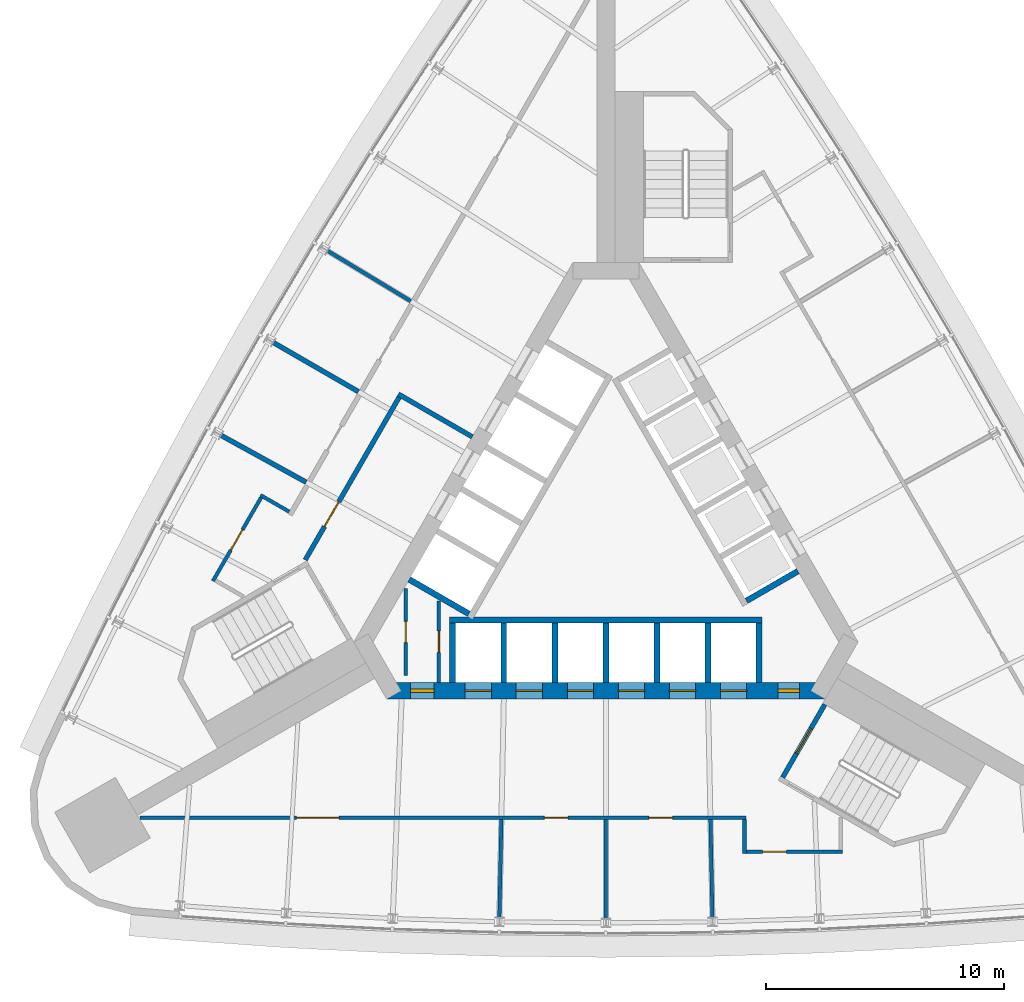
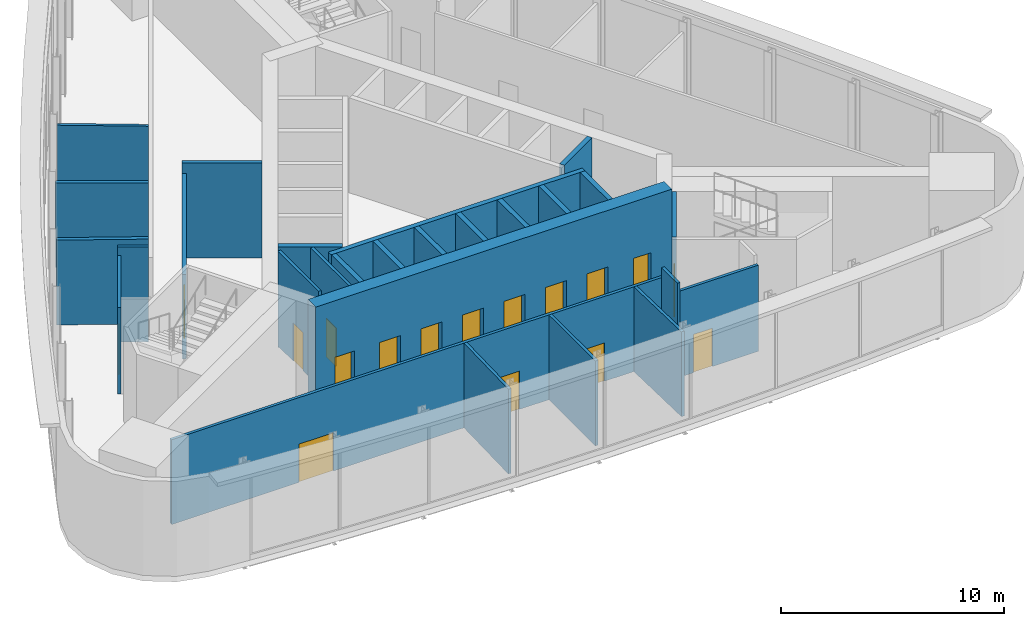
# One storey, part 6 of 11: 27 walls, 17 doors, 17 openings.
"""IFC4 building model written with IfcOpenShell, lengths in metres."""

from ifc_helpers import new_model, si_unit, direction, frame, frame_2d, origin, place, context, subcontext, project, spatial, rectangle, extrude, material, layer, layer_set, type_object, element, fill, save


model = new_model("IFC4")

# Units and contexts
model_context = context("Model", 3, precision=1e-05, world=origin(), true_north=direction((0.0, 1.0)))
body_context = subcontext(model_context, "Body", "Model", "MODEL_VIEW")
ifc_project = project(units=[si_unit("LENGTHUNIT", "METRE"), si_unit("AREAUNIT", "SQUARE_METRE"), si_unit("VOLUMEUNIT", "CUBIC_METRE"), si_unit("PLANEANGLEUNIT", "RADIAN"), si_unit("MASSUNIT", "GRAM", prefix="KILO")], contexts=[model_context])

# Site, building, storey
site_placement = place(None, origin())
site = spatial("IfcSite", under=ifc_project, at=site_placement, CompositionType="ELEMENT")
building_placement = place(site_placement, origin())
building = spatial("IfcBuilding", under=site, at=building_placement, Name="Noor Cloister Tower", CompositionType="ELEMENT")
storey_placement = place(building_placement, frame((0.0, 0.0, 134.699951171875)))
storey = spatial("IfcBuildingStorey", under=building, at=storey_placement, Name="L34", CompositionType="ELEMENT", Elevation=134.699951171875)

# Wall, opening, door
ifc_material_1 = material(Name="Concrete C30/37", Category="concrete")
ifc_layer_1 = layer(ifc_material_1, 0.14990234375)
ifc_layer_set_1 = layer_set([ifc_layer_1], Name="Core partition 150 C30/37")
wall_type_1 = type_object("IfcWallType", Name="Core partition 150 C30/37", PredefinedType="PARTITIONING", material=ifc_layer_set_1)
wall_1_placement = place(storey_placement, frame((-8.4287109375, -5.92822265625, 0.0), z_axis=(0.0, 0.0, 1.0), x_axis=(0.0, 1.0, 0.0)))
wall_1 = element("IfcWall", 1, at=wall_1_placement, inside=storey, type_object=wall_type_1, Name="Core room partition L34 1", PredefinedType="PARTITIONING", context=body_context, shape_type="SweptSolid", body=[
    extrude(rectangle(XDim=3.655517578125, YDim=0.14990234375, at=frame_2d((1.82763671875, 0.0))), origin(), (0.0, 0.0, 1.0), 5.199951171875),
])
opening_1_placement = place(wall_1_placement, frame((1.377685546875, 0.0, 0.0)))
opening_1 = element("IfcOpeningElement", 2, at=opening_1_placement, cuts=wall_1, Name="Opening L34-902", PredefinedType="OPENING", context=body_context, shape_type="SweptSolid", body=[
    extrude(rectangle(XDim=0.89990234375, YDim=2.10009765625, at=frame_2d((0.449951171875, 1.050048828125))), frame((0.0, 0.0849609375, 0.0), z_axis=(0.0, -1.0, 0.0), x_axis=(1.0, 0.0, 0.0)), (0.0, 0.0, 1.0), 0.169921875),
])
ifc_material_2 = material(Name="Steel", Category="steel")
door_type_1 = type_object("IfcDoorType", Name="Core door 900 x 2100 FD120", OperationType="SINGLE_SWING_LEFT", PredefinedType="DOOR", material=ifc_material_2)
door_1_placement = place(opening_1_placement, origin())
door_1 = element("IfcDoor", 3, at=door_1_placement, inside=storey, type_object=door_type_1, Name="Core door 2 L34", OperationType="SINGLE_SWING_RIGHT", OverallHeight=2.10009765625, OverallWidth=0.89990234375, PredefinedType="DOOR", context=body_context, shape_type="SweptSolid", body=[
    extrude(rectangle(XDim=0.89990234375, YDim=2.10009765625, at=frame_2d((0.449951171875, 1.050048828125))), frame((0.0, 0.02490234375, 0.0), z_axis=(0.0, -1.0, 0.0), x_axis=(1.0, 0.0, 0.0)), (0.0, 0.0, 1.0), 0.050048828125),
])
fill(opening_1, door_1)

wall_2_placement = place(storey_placement, frame((-7.02880859375, -2.7998046875, 0.0), z_axis=(0.0, 0.0, 1.0), x_axis=(0.0, -1.0, 0.0)))
wall_2 = element("IfcWall", 4, at=wall_2_placement, inside=storey, type_object=wall_type_1, Name="Core room partition L34 2", PredefinedType="PARTITIONING", context=body_context, shape_type="SweptSolid", body=[
    extrude(rectangle(XDim=3.428466796875, YDim=0.14990234375, at=frame_2d((1.71435546875, 0.0))), origin(), (0.0, 0.0, 1.0), 5.199951171875),
])
opening_2_placement = place(wall_2_placement, frame((1.264404296875, 0.0, 0.0)))
opening_2 = element("IfcOpeningElement", 5, at=opening_2_placement, cuts=wall_2, Name="Opening L34-904", PredefinedType="OPENING", context=body_context, shape_type="SweptSolid", body=[
    extrude(rectangle(XDim=0.89990234375, YDim=2.10009765625, at=frame_2d((0.449951171875, 1.050048828125))), frame((0.0, 0.0849609375, 0.0), z_axis=(0.0, -1.0, 0.0), x_axis=(1.0, 0.0, 0.0)), (0.0, 0.0, 1.0), 0.169921875),
])
door_2_placement = place(opening_2_placement, origin())
door_2 = element("IfcDoor", 6, at=door_2_placement, inside=storey, type_object=door_type_1, Name="Core door 4 L34", OperationType="SINGLE_SWING_RIGHT", OverallHeight=2.10009765625, OverallWidth=0.89990234375, PredefinedType="DOOR", context=body_context, shape_type="SweptSolid", body=[
    extrude(rectangle(XDim=0.89990234375, YDim=2.10009765625, at=frame_2d((0.449951171875, 1.050048828125))), frame((0.0, 0.02490234375, 0.0), z_axis=(0.0, -1.0, 0.0), x_axis=(1.0, 0.0, 0.0)), (0.0, 0.0, 1.0), 0.050048828125),
])
fill(opening_2, door_2)

# Wall, openings, doors
ifc_material_3 = material(Name="Concrete C70/85", Category="concrete")
ifc_layer_2 = layer(ifc_material_3, 0.699951171875)
ifc_layer_set_2 = layer_set([ifc_layer_2], Name="Core wall 700 C70/85")
wall_type_2 = type_object("IfcWallType", Name="Core wall 700 C70/85", PredefinedType="SHEAR", material=ifc_layer_set_2)
wall_3_placement = place(storey_placement, frame((-9.228759765625, -6.578125, -0.300048828125), z_axis=(0.0, 0.0, 1.0), x_axis=(1.0, 0.0, 0.0)))
wall_3 = element("IfcWall", 7, at=wall_3_placement, inside=storey, type_object=wall_type_2, Name="Core wall L34 1", PredefinedType="SHEAR", context=body_context, shape_type="SweptSolid", body=[
    extrude(rectangle(XDim=18.45751953125, YDim=0.699951171875, at=frame_2d((9.228759765625, 0.0))), origin(), (0.0, 0.0, 1.0), 5.5),
])
opening_3_placement = place(wall_3_placement, frame((3.3037109375, 0.0, 0.300048828125)))
opening_3 = element("IfcOpeningElement", 8, at=opening_3_placement, cuts=wall_3, Name="Opening L34-LR1", PredefinedType="OPENING", context=body_context, shape_type="SweptSolid", body=[
    extrude(rectangle(XDim=1.10009765625, YDim=2.10009765625, at=frame_2d((0.550048828125, 1.050048828125))), frame((0.0, 0.35986328125, 0.0), z_axis=(0.0, -1.0, 0.0), x_axis=(1.0, 0.0, 0.0)), (0.0, 0.0, 1.0), 0.719970703125),
])
opening_4_placement = place(wall_3_placement, frame((5.45361328125, 0.0, 0.300048828125)))
opening_4 = element("IfcOpeningElement", 9, at=opening_4_placement, cuts=wall_3, Name="Opening L34-LR2", PredefinedType="OPENING", context=body_context, shape_type="SweptSolid", body=[
    extrude(rectangle(XDim=1.10009765625, YDim=2.10009765625, at=frame_2d((0.550048828125, 1.050048828125))), frame((0.0, 0.35986328125, 0.0), z_axis=(0.0, -1.0, 0.0), x_axis=(1.0, 0.0, 0.0)), (0.0, 0.0, 1.0), 0.719970703125),
])
opening_5_placement = place(wall_3_placement, frame((7.603759765625, 0.0, 0.300048828125)))
opening_5 = element("IfcOpeningElement", 10, at=opening_5_placement, cuts=wall_3, Name="Opening L34-LR3", PredefinedType="OPENING", context=body_context, shape_type="SweptSolid", body=[
    extrude(rectangle(XDim=1.10009765625, YDim=2.10009765625, at=frame_2d((0.550048828125, 1.050048828125))), frame((0.0, 0.35986328125, 0.0), z_axis=(0.0, -1.0, 0.0), x_axis=(1.0, 0.0, 0.0)), (0.0, 0.0, 1.0), 0.719970703125),
])
opening_6_placement = place(wall_3_placement, frame((9.753662109375, 0.0, 0.300048828125)))
opening_6 = element("IfcOpeningElement", 11, at=opening_6_placement, cuts=wall_3, Name="Opening L34-LR4", PredefinedType="OPENING", context=body_context, shape_type="SweptSolid", body=[
    extrude(rectangle(XDim=1.10009765625, YDim=2.10009765625, at=frame_2d((0.550048828125, 1.050048828125))), frame((0.0, 0.35986328125, 0.0), z_axis=(0.0, -1.0, 0.0), x_axis=(1.0, 0.0, 0.0)), (0.0, 0.0, 1.0), 0.719970703125),
])
opening_7_placement = place(wall_3_placement, frame((11.90380859375, 0.0, 0.300048828125)))
opening_7 = element("IfcOpeningElement", 12, at=opening_7_placement, cuts=wall_3, Name="Opening L34-LR5", PredefinedType="OPENING", context=body_context, shape_type="SweptSolid", body=[
    extrude(rectangle(XDim=1.10009765625, YDim=2.10009765625, at=frame_2d((0.550048828125, 1.050048828125))), frame((0.0, 0.35986328125, 0.0), z_axis=(0.0, -1.0, 0.0), x_axis=(1.0, 0.0, 0.0)), (0.0, 0.0, 1.0), 0.719970703125),
])
opening_8_placement = place(wall_3_placement, frame((14.0537109375, 0.0, 0.300048828125)))
opening_8 = element("IfcOpeningElement", 13, at=opening_8_placement, cuts=wall_3, Name="Opening L34-LR6", PredefinedType="OPENING", context=body_context, shape_type="SweptSolid", body=[
    extrude(rectangle(XDim=1.10009765625, YDim=2.10009765625, at=frame_2d((0.550048828125, 1.050048828125))), frame((0.0, 0.35986328125, 0.0), z_axis=(0.0, -1.0, 0.0), x_axis=(1.0, 0.0, 0.0)), (0.0, 0.0, 1.0), 0.719970703125),
])
opening_9_placement = place(wall_3_placement, frame((1.0, 0.0, 0.300048828125)))
opening_9 = element("IfcOpeningElement", 14, at=opening_9_placement, cuts=wall_3, Name="Opening L34-901", PredefinedType="OPENING", context=body_context, shape_type="SweptSolid", body=[
    extrude(rectangle(XDim=1.0, YDim=2.10009765625, at=frame_2d((0.5, 1.050048828125))), frame((0.0, 0.35986328125, 0.0), z_axis=(0.0, -1.0, 0.0), x_axis=(1.0, 0.0, 0.0)), (0.0, 0.0, 1.0), 0.719970703125),
])
opening_10_placement = place(wall_3_placement, frame((16.478515625, 0.0, 0.300048828125)))
opening_10 = element("IfcOpeningElement", 15, at=opening_10_placement, cuts=wall_3, Name="Opening L34-903", PredefinedType="OPENING", context=body_context, shape_type="SweptSolid", body=[
    extrude(rectangle(XDim=0.89990234375, YDim=2.10009765625, at=frame_2d((0.449951171875, 1.050048828125))), frame((0.0, 0.35986328125, 0.0), z_axis=(0.0, -1.0, 0.0), x_axis=(1.0, 0.0, 0.0)), (0.0, 0.0, 1.0), 0.719970703125),
])
ifc_material_4 = material(Name="Steel", Category="steel")
door_type_2 = type_object("IfcDoorType", Name="Core door 1000 x 2100 FD120", OperationType="SINGLE_SWING_LEFT", PredefinedType="DOOR", material=ifc_material_4)
door_3_placement = place(opening_9_placement, origin())
door_3 = element("IfcDoor", 16, at=door_3_placement, inside=storey, type_object=door_type_2, Name="Core door 1 L34", OperationType="SINGLE_SWING_LEFT", OverallHeight=2.10009765625, OverallWidth=1.0, PredefinedType="DOOR", context=body_context, shape_type="SweptSolid", body=[
    extrude(rectangle(XDim=1.0, YDim=2.10009765625, at=frame_2d((0.5, 1.050048828125))), frame((0.0, 0.074951171875, 0.0), z_axis=(0.0, -1.0, 0.0), x_axis=(1.0, 0.0, 0.0)), (0.0, 0.0, 1.0), 0.14990234375),
])
fill(opening_9, door_3)
ifc_material_5 = material(Name="Steel", Category="steel")
door_type_3 = type_object("IfcDoorType", Name="Core door 900 x 2100 FD60", OperationType="SINGLE_SWING_LEFT", PredefinedType="DOOR", material=ifc_material_5)
door_4_placement = place(opening_10_placement, origin())
door_4 = element("IfcDoor", 17, at=door_4_placement, inside=storey, type_object=door_type_3, Name="Core door 3 L34", OperationType="SINGLE_SWING_LEFT", OverallHeight=2.10009765625, OverallWidth=0.89990234375, PredefinedType="DOOR", context=body_context, shape_type="SweptSolid", body=[
    extrude(rectangle(XDim=0.89990234375, YDim=2.10009765625, at=frame_2d((0.449951171875, 1.050048828125))), frame((0.0, 0.074951171875, 0.0), z_axis=(0.0, -1.0, 0.0), x_axis=(1.0, 0.0, 0.0)), (0.0, 0.0, 1.0), 0.14990234375),
])
fill(opening_10, door_4)
ifc_material_6 = material(Name="Stainless steel", Category="steel")
door_type_4 = type_object("IfcDoorType", Name="Lift landing door 1100 x 2100", OperationType="DOUBLE_DOOR_SLIDING", PredefinedType="DOOR", material=ifc_material_6)
door_5_placement = place(opening_3_placement, origin())
door_5 = element("IfcDoor", 18, at=door_5_placement, inside=storey, type_object=door_type_4, Name="Landing door LR1 L34", OperationType="DOUBLE_DOOR_SLIDING", OverallHeight=2.10009765625, OverallWidth=1.10009765625, PredefinedType="DOOR", context=body_context, shape_type="SweptSolid", body=[
    extrude(rectangle(XDim=1.10009765625, YDim=2.10009765625, at=frame_2d((0.550048828125, 1.050048828125))), frame((0.0, 0.02490234375, 0.0), z_axis=(0.0, -1.0, 0.0), x_axis=(1.0, 0.0, 0.0)), (0.0, 0.0, 1.0), 0.050048828125),
])
fill(opening_3, door_5)
door_6_placement = place(opening_4_placement, origin())
door_6 = element("IfcDoor", 19, at=door_6_placement, inside=storey, type_object=door_type_4, Name="Landing door LR2 L34", OperationType="DOUBLE_DOOR_SLIDING", OverallHeight=2.10009765625, OverallWidth=1.10009765625, PredefinedType="DOOR", context=body_context, shape_type="SweptSolid", body=[
    extrude(rectangle(XDim=1.10009765625, YDim=2.10009765625, at=frame_2d((0.550048828125, 1.050048828125))), frame((0.0, 0.02490234375, 0.0), z_axis=(0.0, -1.0, 0.0), x_axis=(1.0, 0.0, 0.0)), (0.0, 0.0, 1.0), 0.050048828125),
])
fill(opening_4, door_6)
door_7_placement = place(opening_5_placement, origin())
door_7 = element("IfcDoor", 20, at=door_7_placement, inside=storey, type_object=door_type_4, Name="Landing door LR3 L34", OperationType="DOUBLE_DOOR_SLIDING", OverallHeight=2.10009765625, OverallWidth=1.10009765625, PredefinedType="DOOR", context=body_context, shape_type="SweptSolid", body=[
    extrude(rectangle(XDim=1.10009765625, YDim=2.10009765625, at=frame_2d((0.550048828125, 1.050048828125))), frame((0.0, 0.02490234375, 0.0), z_axis=(0.0, -1.0, 0.0), x_axis=(1.0, 0.0, 0.0)), (0.0, 0.0, 1.0), 0.050048828125),
])
fill(opening_5, door_7)
door_8_placement = place(opening_6_placement, origin())
door_8 = element("IfcDoor", 21, at=door_8_placement, inside=storey, type_object=door_type_4, Name="Landing door LR4 L34", OperationType="DOUBLE_DOOR_SLIDING", OverallHeight=2.10009765625, OverallWidth=1.10009765625, PredefinedType="DOOR", context=body_context, shape_type="SweptSolid", body=[
    extrude(rectangle(XDim=1.10009765625, YDim=2.10009765625, at=frame_2d((0.550048828125, 1.050048828125))), frame((0.0, 0.02490234375, 0.0), z_axis=(0.0, -1.0, 0.0), x_axis=(1.0, 0.0, 0.0)), (0.0, 0.0, 1.0), 0.050048828125),
])
fill(opening_6, door_8)
door_9_placement = place(opening_7_placement, origin())
door_9 = element("IfcDoor", 22, at=door_9_placement, inside=storey, type_object=door_type_4, Name="Landing door LR5 L34", OperationType="DOUBLE_DOOR_SLIDING", OverallHeight=2.10009765625, OverallWidth=1.10009765625, PredefinedType="DOOR", context=body_context, shape_type="SweptSolid", body=[
    extrude(rectangle(XDim=1.10009765625, YDim=2.10009765625, at=frame_2d((0.550048828125, 1.050048828125))), frame((0.0, 0.02490234375, 0.0), z_axis=(0.0, -1.0, 0.0), x_axis=(1.0, 0.0, 0.0)), (0.0, 0.0, 1.0), 0.050048828125),
])
fill(opening_7, door_9)
door_10_placement = place(opening_8_placement, origin())
door_10 = element("IfcDoor", 23, at=door_10_placement, inside=storey, type_object=door_type_4, Name="Landing door LR6 L34", OperationType="DOUBLE_DOOR_SLIDING", OverallHeight=2.10009765625, OverallWidth=1.10009765625, PredefinedType="DOOR", context=body_context, shape_type="SweptSolid", body=[
    extrude(rectangle(XDim=1.10009765625, YDim=2.10009765625, at=frame_2d((0.550048828125, 1.050048828125))), frame((0.0, 0.02490234375, 0.0), z_axis=(0.0, -1.0, 0.0), x_axis=(1.0, 0.0, 0.0)), (0.0, 0.0, 1.0), 0.050048828125),
])
fill(opening_8, door_10)

# Walls
ifc_material_7 = material(Name="Concrete C70/85", Category="concrete")
ifc_layer_3 = layer(ifc_material_7, 0.25)
ifc_layer_set_3 = layer_set([ifc_layer_3], Name="Shaft wall 250 C70/85")
wall_type_3 = type_object("IfcWallType", Name="Shaft wall 250 C70/85", PredefinedType="PARTITIONING", material=ifc_layer_set_3)
for number, where, z_axis, x_axis, name in (
    (24, (-6.449951171875, -6.228271484375, -0.300048828125), (0.0, 0.0, 1.0), (0.0, 1.0, 0.0), "Lift shaft wall L34 S 1"),
    (25, (-4.300048828125, -6.228271484375, -0.300048828125), (0.0, 0.0, 1.0), (0.0, 1.0, 0.0), "Lift shaft wall L34 S 2"),
    (26, (-2.14990234375, -6.228271484375, -0.300048828125), (0.0, 0.0, 1.0), (0.0, 1.0, 0.0), "Lift shaft wall L34 S 3"),
    (27, (0.0, -6.228271484375, -0.300048828125), (0.0, 0.0, 1.0), (0.0, 1.0, 0.0), "Lift shaft wall L34 S 4"),
    (28, (2.14990234375, -6.228271484375, -0.300048828125), (0.0, 0.0, 1.0), (0.0, 1.0, 0.0), "Lift shaft wall L34 S 5"),
    (29, (4.300048828125, -6.228271484375, -0.300048828125), (0.0, 0.0, 1.0), (0.0, 1.0, 0.0), "Lift shaft wall L34 S 6"),
    (30, (6.449951171875, -6.228271484375, -0.300048828125), (0.0, 0.0, 1.0), (0.0, 1.0, 0.0), "Lift shaft wall L34 S 7"),
):
    element("IfcWall", number, at=place(storey_placement, frame(where, z_axis=z_axis, x_axis=x_axis)), inside=storey, type_object=wall_type_3, Name=name, PredefinedType="PARTITIONING", context=body_context, shape_type="SweptSolid", body=[
        extrude(rectangle(XDim=2.5, YDim=0.25, at=frame_2d((1.25, 0.0))), origin(), (0.0, 0.0, 1.0), 5.5),
    ])
wall_4_placement = place(storey_placement, frame((-6.574951171875, -3.603271484375, 0.0), z_axis=(0.0, 0.0, 1.0), x_axis=(1.0, 0.0, 0.0)))
element("IfcWall", 31, at=wall_4_placement, inside=storey, type_object=wall_type_3, Name="Lift shaft back wall L34 S", PredefinedType="PARTITIONING", context=body_context, shape_type="SweptSolid", body=[
    extrude(rectangle(XDim=13.14990234375, YDim=0.25, at=frame_2d((6.574951171875, 0.0))), origin(), (0.0, 0.0, 1.0), 5.199951171875),
])
wall_5_placement = place(storey_placement, frame((8.081298828125, -1.540771484375, -0.300048828125), z_axis=(0.0, 0.0, 1.0), x_axis=(-0.866022959057, -0.500004234368, 0.0)))
element("IfcWall", 32, at=wall_5_placement, inside=storey, type_object=wall_type_3, Name="Lift shaft wall L34 NE 1", PredefinedType="PARTITIONING", context=body_context, shape_type="SweptSolid", body=[
    extrude(rectangle(XDim=2.5, YDim=0.25, at=frame_2d((1.25, 0.0))), origin(), (0.0, 0.0, 1.0), 5.5),
])
wall_6_placement = place(storey_placement, frame((-8.28125, -1.88720703125, -0.300048828125), z_axis=(0.0, 0.0, 1.0), x_axis=(0.866032775405, -0.499987231761, 0.0)))
element("IfcWall", 33, at=wall_6_placement, inside=storey, type_object=wall_type_3, Name="Lift shaft wall L34 NW 6", PredefinedType="PARTITIONING", context=body_context, shape_type="SweptSolid", body=[
    extrude(rectangle(XDim=2.89990234375, YDim=0.25, at=frame_2d((1.449951171875, 0.0))), origin(), (0.0, 0.0, 1.0), 5.5),
])

# Wall, opening, door
ifc_material_8 = material(Name="Concrete C70/85", Category="concrete")
ifc_layer_4 = layer(ifc_material_8, 0.199951171875)
ifc_layer_set_4 = layer_set([ifc_layer_4], Name="Stair enclosure wall 200 C70/85")
wall_type_4 = type_object("IfcWallType", Name="Stair enclosure wall 200 C70/85", PredefinedType="SHEAR", material=ifc_layer_set_4)
wall_7_placement = place(storey_placement, frame((7.440185546875, -10.225830078125, -0.300048828125), z_axis=(0.0, 0.0, 1.0), x_axis=(0.500022077904, 0.866012656725, 0.0)))
wall_7 = element("IfcWall", 34, at=wall_7_placement, inside=storey, type_object=wall_type_4, Name="Stair enclosure wall ST3 L34 near end", PredefinedType="SHEAR", context=body_context, shape_type="SweptSolid", body=[
    extrude(rectangle(XDim=3.550048828125, YDim=0.199951171875, at=frame_2d((1.77490234375, 0.0))), origin(), (0.0, 0.0, 1.0), 5.5),
])
opening_11_placement = place(wall_7_placement, frame((1.175048828125, 0.0, 0.300048828125)))
opening_11 = element("IfcOpeningElement", 35, at=opening_11_placement, cuts=wall_7, Name="Opening L34-ST3L", PredefinedType="OPENING", context=body_context, shape_type="SweptSolid", body=[
    extrude(rectangle(XDim=1.199951171875, YDim=2.10009765625, at=frame_2d((0.60009765625, 1.050048828125))), frame((0.0, 0.10986328125, 0.0), z_axis=(0.0, -1.0, 0.0), x_axis=(1.0, 0.0, 0.0)), (0.0, 0.0, 1.0), 0.219970703125),
])
ifc_material_9 = material(Name="Steel", Category="steel")
door_type_5 = type_object("IfcDoorType", Name="Stair door 1200 x 2100 FD120", OperationType="SINGLE_SWING_LEFT", PredefinedType="DOOR", material=ifc_material_9)
door_11_placement = place(opening_11_placement, origin())
door_11 = element("IfcDoor", 36, at=door_11_placement, inside=storey, type_object=door_type_5, Name="Stair door ST3 L34", OperationType="SINGLE_SWING_RIGHT", OverallHeight=2.10009765625, OverallWidth=1.199951171875, PredefinedType="DOOR", context=body_context, shape_type="SweptSolid", body=[
    extrude(rectangle(XDim=1.199951171875, YDim=2.10009765625, at=frame_2d((0.60009765625, 1.050048828125))), frame((0.0, 0.02490234375, 0.0), z_axis=(0.0, -1.0, 0.0), x_axis=(1.0, 0.0, 0.0)), (0.0, 0.0, 1.0), 0.050048828125),
])
fill(opening_11, door_11)

# Walls
ifc_material_10 = material(Name="Fire-rated gypsum board partition on steel studs, 150 mm", Category="steel")
ifc_layer_5 = layer(ifc_material_10, 0.14990234375)
ifc_layer_set_5 = layer_set([ifc_layer_5], Name="Upper floor corridor wall 150")
wall_type_5 = type_object("IfcWallType", Name="Upper floor corridor wall 150", PredefinedType="PARTITIONING", material=ifc_layer_set_5)
wall_8_placement = place(storey_placement, frame((-11.725341796875, 11.948486328125, 0.0), z_axis=(0.0, 0.0, 1.0), x_axis=(0.85568537719, -0.517496410869, 0.0)))
element("IfcWall", 37, at=wall_8_placement, inside=storey, type_object=wall_type_5, Name="Upper floor corridor wall 150 L34 006", PredefinedType="PARTITIONING", context=body_context, shape_type="SweptSolid", body=[
    extrude(rectangle(XDim=4.099609375, YDim=0.14990234375, at=frame_2d((2.0498046875, 0.0))), origin(), (0.0, 0.0, 1.0), 4.64697265625),
])
wall_9_placement = place(storey_placement, frame((-13.33349609375, 0.9619140625, 0.0), z_axis=(0.0, 0.0, 1.0), x_axis=(-0.865961103467, 0.500111354883, 0.0)))
element("IfcWall", 38, at=wall_9_placement, inside=storey, type_object=wall_type_5, Name="Upper floor corridor wall 150 L34 007", PredefinedType="PARTITIONING", context=body_context, shape_type="SweptSolid", body=[
    extrude(rectangle(XDim=1.394775390625, YDim=0.14990234375, at=frame_2d((0.697265625, 0.0))), origin(), (0.0, 0.0, 1.0), 5.199951171875),
])

# Wall, opening, door
wall_10_placement = place(storey_placement, frame((-16.5439453125, -1.955322265625, 0.0), z_axis=(0.0, 0.0, 1.0), x_axis=(0.499996823547, 0.866027237703, 0.0)))
wall_10 = element("IfcWall", 39, at=wall_10_placement, inside=storey, type_object=wall_type_5, Name="Upper floor corridor wall 150 L34 008", PredefinedType="PARTITIONING", context=body_context, shape_type="SweptSolid", body=[
    extrude(rectangle(XDim=4.056640625, YDim=0.14990234375, at=frame_2d((2.0283203125, 0.0))), origin(), (0.0, 0.0, 1.0), 4.72314453125),
])
opening_12_placement = place(wall_10_placement, frame((1.495361328125, 0.0, 0.0)))
opening_12 = element("IfcOpeningElement", 40, at=opening_12_placement, cuts=wall_10, Name="Opening L34-004", PredefinedType="OPENING", context=body_context, shape_type="SweptSolid", body=[
    extrude(rectangle(XDim=1.0, YDim=2.10009765625, at=frame_2d((0.5, 1.050048828125))), frame((0.0, 0.0849609375, 0.0), z_axis=(0.0, -1.0, 0.0), x_axis=(1.0, 0.0, 0.0)), (0.0, 0.0, 1.0), 0.169921875),
])
ifc_material_11 = material(Name="Timber door leaf with steel frame", Category="steel")
door_type_6 = type_object("IfcDoorType", Name="Public room door 1000", OperationType="NOTDEFINED", PredefinedType="DOOR", material=ifc_material_11)
door_12_placement = place(opening_12_placement, origin())
door_12 = element("IfcDoor", 41, at=door_12_placement, inside=storey, type_object=door_type_6, Name="Public room door 1000 L34-004", OperationType="SINGLE_SWING_LEFT", OverallHeight=2.10009765625, OverallWidth=1.0, PredefinedType="DOOR", context=body_context, shape_type="SweptSolid", body=[
    extrude(rectangle(XDim=1.0, YDim=2.10009765625, at=frame_2d((0.5, 1.050048828125))), frame((0.0, 0.02490234375, 0.0), z_axis=(0.0, -1.0, 0.0), x_axis=(1.0, 0.0, 0.0)), (0.0, 0.0, 1.0), 0.050048828125),
])
fill(opening_12, door_12)

# Wall, openings, doors
wall_11_placement = place(storey_placement, frame((-19.622314453125, -11.92822265625, 0.0), z_axis=(0.0, 0.0, 1.0), x_axis=(1.0, 0.0, 0.0)))
wall_11 = element("IfcWall", 42, at=wall_11_placement, inside=storey, type_object=wall_type_5, Name="Upper floor corridor wall 150 L34 010", PredefinedType="PARTITIONING", context=body_context, shape_type="SweptSolid", body=[
    extrude(rectangle(XDim=25.52880859375, YDim=0.14990234375, at=frame_2d((12.764404296875, 0.0))), origin(), (0.0, 0.0, 1.0), 4.64697265625),
])
opening_13_placement = place(wall_11_placement, frame((6.588134765625, 0.0, 0.0)))
opening_13 = element("IfcOpeningElement", 43, at=opening_13_placement, cuts=wall_11, Name="Opening L34-006", PredefinedType="OPENING", context=body_context, shape_type="SweptSolid", body=[
    extrude(rectangle(XDim=1.800048828125, YDim=2.10009765625, at=frame_2d((0.89990234375, 1.050048828125))), frame((0.0, 0.0849609375, 0.0), z_axis=(0.0, -1.0, 0.0), x_axis=(1.0, 0.0, 0.0)), (0.0, 0.0, 1.0), 0.169921875),
])
opening_14_placement = place(wall_11_placement, frame((17.0263671875, 0.0, 0.0)))
opening_14 = element("IfcOpeningElement", 44, at=opening_14_placement, cuts=wall_11, Name="Opening L34-007", PredefinedType="OPENING", context=body_context, shape_type="SweptSolid", body=[
    extrude(rectangle(XDim=1.0, YDim=2.10009765625, at=frame_2d((0.5, 1.050048828125))), frame((0.0, 0.0849609375, 0.0), z_axis=(0.0, -1.0, 0.0), x_axis=(1.0, 0.0, 0.0)), (0.0, 0.0, 1.0), 0.169921875),
])
opening_15_placement = place(wall_11_placement, frame((21.426025390625, 0.0, 0.0)))
opening_15 = element("IfcOpeningElement", 45, at=opening_15_placement, cuts=wall_11, Name="Opening L34-008", PredefinedType="OPENING", context=body_context, shape_type="SweptSolid", body=[
    extrude(rectangle(XDim=1.0, YDim=2.10009765625, at=frame_2d((0.5, 1.050048828125))), frame((0.0, 0.0849609375, 0.0), z_axis=(0.0, -1.0, 0.0), x_axis=(1.0, 0.0, 0.0)), (0.0, 0.0, 1.0), 0.169921875),
])
ifc_material_12 = material(Name="Timber door leaf with steel frame", Category="steel")
door_type_7 = type_object("IfcDoorType", Name="Gallery double door 1800", OperationType="NOTDEFINED", PredefinedType="DOOR", material=ifc_material_12)
door_13_placement = place(opening_13_placement, origin())
door_13 = element("IfcDoor", 46, at=door_13_placement, inside=storey, type_object=door_type_7, Name="Gallery double door 1800 L34-006", OperationType="DOUBLE_DOOR_SINGLE_SWING", OverallHeight=2.10009765625, OverallWidth=1.800048828125, PredefinedType="DOOR", context=body_context, shape_type="SweptSolid", body=[
    extrude(rectangle(XDim=1.800048828125, YDim=2.10009765625, at=frame_2d((0.89990234375, 1.050048828125))), frame((0.0, 0.02490234375, 0.0), z_axis=(0.0, -1.0, 0.0), x_axis=(1.0, 0.0, 0.0)), (0.0, 0.0, 1.0), 0.050048828125),
])
fill(opening_13, door_13)
ifc_material_13 = material(Name="Timber door leaf with steel frame", Category="steel")
door_type_8 = type_object("IfcDoorType", Name="Staff room door 1000", OperationType="NOTDEFINED", PredefinedType="DOOR", material=ifc_material_13)
door_14_placement = place(opening_14_placement, origin())
door_14 = element("IfcDoor", 47, at=door_14_placement, inside=storey, type_object=door_type_8, Name="Staff room door 1000 L34-007", OperationType="SINGLE_SWING_RIGHT", OverallHeight=2.10009765625, OverallWidth=1.0, PredefinedType="DOOR", context=body_context, shape_type="SweptSolid", body=[
    extrude(rectangle(XDim=1.0, YDim=2.10009765625, at=frame_2d((0.5, 1.050048828125))), frame((0.0, 0.02490234375, 0.0), z_axis=(0.0, -1.0, 0.0), x_axis=(1.0, 0.0, 0.0)), (0.0, 0.0, 1.0), 0.050048828125),
])
fill(opening_14, door_14)
door_15_placement = place(opening_15_placement, origin())
door_15 = element("IfcDoor", 48, at=door_15_placement, inside=storey, type_object=door_type_8, Name="Staff room door 1000 L34-008", OperationType="SINGLE_SWING_RIGHT", OverallHeight=2.10009765625, OverallWidth=1.0, PredefinedType="DOOR", context=body_context, shape_type="SweptSolid", body=[
    extrude(rectangle(XDim=1.0, YDim=2.10009765625, at=frame_2d((0.5, 1.050048828125))), frame((0.0, 0.02490234375, 0.0), z_axis=(0.0, -1.0, 0.0), x_axis=(1.0, 0.0, 0.0)), (0.0, 0.0, 1.0), 0.050048828125),
])
fill(opening_15, door_15)

# Walls
wall_12_placement = place(storey_placement, frame((-4.485107421875, -16.128662109375, 0.0), z_axis=(0.0, 0.0, 1.0), x_axis=(0.020301285243, 0.999793907672, 0.0)))
element("IfcWall", 49, at=wall_12_placement, inside=storey, type_object=wall_type_5, Name="Upper floor corridor wall 150 L34 011", PredefinedType="PARTITIONING", context=body_context, shape_type="SweptSolid", body=[
    extrude(rectangle(XDim=4.124755859375, YDim=0.14990234375, at=frame_2d((2.0625, 0.0))), origin(), (0.0, 0.0, 1.0), 4.64697265625),
])
wall_13_placement = place(storey_placement, frame((0.0, -16.174072265625, 0.0), z_axis=(0.0, 0.0, 1.0), x_axis=(0.0, 1.0, 0.0)))
element("IfcWall", 50, at=wall_13_placement, inside=storey, type_object=wall_type_5, Name="Upper floor corridor wall 150 L34 012", PredefinedType="PARTITIONING", context=body_context, shape_type="SweptSolid", body=[
    extrude(rectangle(XDim=4.1708984375, YDim=0.14990234375, at=frame_2d((2.08544921875, 0.0))), origin(), (0.0, 0.0, 1.0), 4.64697265625),
])
wall_14_placement = place(storey_placement, frame((4.4013671875, -12.004638671875, 0.0), z_axis=(0.0, 0.0, 1.0), x_axis=(0.020301285243, -0.999793907672, 0.0)))
element("IfcWall", 51, at=wall_14_placement, inside=storey, type_object=wall_type_5, Name="Upper floor corridor wall 150 L34 013", PredefinedType="PARTITIONING", context=body_context, shape_type="SweptSolid", body=[
    extrude(rectangle(XDim=4.124755859375, YDim=0.14990234375, at=frame_2d((2.0625, 0.0))), origin(), (0.0, 0.0, 1.0), 4.64697265625),
])
wall_15_placement = place(storey_placement, frame((5.83349609375, -12.003173828125, 0.0), z_axis=(0.0, 0.0, 1.0), x_axis=(0.0, -1.0, 0.0)))
element("IfcWall", 52, at=wall_15_placement, inside=storey, type_object=wall_type_5, Name="Upper floor corridor wall 150 L34 014", PredefinedType="PARTITIONING", context=body_context, shape_type="SweptSolid", body=[
    extrude(rectangle(XDim=1.421630859375, YDim=0.14990234375, at=frame_2d((0.7109375, 0.0))), origin(), (0.0, 0.0, 1.0), 5.199951171875),
])

# Wall, opening, door
wall_16_placement = place(storey_placement, frame((5.90869140625, -13.349853515625, 0.0), z_axis=(0.0, 0.0, 1.0), x_axis=(1.0, 0.0, 0.0)))
wall_16 = element("IfcWall", 53, at=wall_16_placement, inside=storey, type_object=wall_type_5, Name="Upper floor corridor wall 150 L34 015", PredefinedType="PARTITIONING", context=body_context, shape_type="SweptSolid", body=[
    extrude(rectangle(XDim=4.05859375, YDim=0.14990234375, at=frame_2d((2.029296875, 0.0))), origin(), (0.0, 0.0, 1.0), 4.72314453125),
])
opening_16_placement = place(wall_16_placement, frame((0.683837890625, 0.0, 0.0)))
opening_16 = element("IfcOpeningElement", 54, at=opening_16_placement, cuts=wall_16, Name="Opening L34-009", PredefinedType="OPENING", context=body_context, shape_type="SweptSolid", body=[
    extrude(rectangle(XDim=1.0, YDim=2.10009765625, at=frame_2d((0.5, 1.050048828125))), frame((0.0, 0.0849609375, 0.0), z_axis=(0.0, -1.0, 0.0), x_axis=(1.0, 0.0, 0.0)), (0.0, 0.0, 1.0), 0.169921875),
])
door_16_placement = place(opening_16_placement, origin())
door_16 = element("IfcDoor", 55, at=door_16_placement, inside=storey, type_object=door_type_6, Name="Public room door 1000 L34-009", OperationType="SINGLE_SWING_LEFT", OverallHeight=2.10009765625, OverallWidth=1.0, PredefinedType="DOOR", context=body_context, shape_type="SweptSolid", body=[
    extrude(rectangle(XDim=1.0, YDim=2.10009765625, at=frame_2d((0.5, 1.050048828125))), frame((0.0, 0.02490234375, 0.0), z_axis=(0.0, -1.0, 0.0), x_axis=(1.0, 0.0, 0.0)), (0.0, 0.0, 1.0), 0.050048828125),
])
fill(opening_16, door_16)

# Wall
ifc_material_14 = material(Name="Concrete block wall, 200 mm", Category="concrete")
ifc_layer_6 = layer(ifc_material_14, 0.199951171875)
ifc_layer_set_6 = layer_set([ifc_layer_6], Name="Upper floor plant room wall 200")
wall_type_6 = type_object("IfcWallType", Name="Upper floor plant room wall 200", PredefinedType="PARTITIONING", material=ifc_layer_set_6)
wall_17_placement = place(storey_placement, frame((-5.625, 4.113525390625, 0.0), z_axis=(0.0, 0.0, 1.0), x_axis=(-0.866017220491, 0.500014173611, 0.0)))
element("IfcWall", 56, at=wall_17_placement, inside=storey, type_object=wall_type_6, Name="Upper floor plant room wall 200 L34 001", PredefinedType="PARTITIONING", context=body_context, shape_type="SweptSolid", body=[
    extrude(rectangle(XDim=3.59814453125, YDim=0.199951171875, at=frame_2d((1.799072265625, 0.0))), origin(), (0.0, 0.0, 1.0), 5.199951171875),
])

# Wall, opening, door
wall_18_placement = place(storey_placement, frame((-12.657958984375, -1.06787109375, 0.0), z_axis=(0.0, 0.0, 1.0), x_axis=(0.499996073327, 0.866027670838, 0.0)))
wall_18 = element("IfcWall", 57, at=wall_18_placement, inside=storey, type_object=wall_type_6, Name="Upper floor plant room wall 200 L34 002", PredefinedType="PARTITIONING", context=body_context, shape_type="SweptSolid", body=[
    extrude(rectangle(XDim=7.90380859375, YDim=0.199951171875, at=frame_2d((3.951904296875, 0.0))), origin(), (0.0, 0.0, 1.0), 4.64697265625),
])
opening_17_placement = place(wall_18_placement, frame((1.62109375, 0.0, 0.0)))
opening_17 = element("IfcOpeningElement", 58, at=opening_17_placement, cuts=wall_18, Name="Opening L34-005", PredefinedType="OPENING", context=body_context, shape_type="SweptSolid", body=[
    extrude(rectangle(XDim=1.199951171875, YDim=2.10009765625, at=frame_2d((0.60009765625, 1.050048828125))), frame((0.0, 0.10986328125, 0.0), z_axis=(0.0, -1.0, 0.0), x_axis=(1.0, 0.0, 0.0)), (0.0, 0.0, 1.0), 0.219970703125),
])
ifc_material_15 = material(Name="Timber door leaf with steel frame", Category="steel")
door_type_9 = type_object("IfcDoorType", Name="Firefighting lobby door 1200", OperationType="NOTDEFINED", PredefinedType="DOOR", material=ifc_material_15)
door_17_placement = place(opening_17_placement, origin())
door_17 = element("IfcDoor", 59, at=door_17_placement, inside=storey, type_object=door_type_9, Name="Firefighting lobby door 1200 L34-005", OperationType="SINGLE_SWING_LEFT", OverallHeight=2.10009765625, OverallWidth=1.199951171875, PredefinedType="DOOR", context=body_context, shape_type="SweptSolid", body=[
    extrude(rectangle(XDim=1.199951171875, YDim=2.10009765625, at=frame_2d((0.60009765625, 1.050048828125))), frame((0.0, 0.02490234375, 0.0), z_axis=(0.0, -1.0, 0.0), x_axis=(1.0, 0.0, 0.0)), (0.0, 0.0, 1.0), 0.050048828125),
])
fill(opening_17, door_17)

# Walls
wall_19_placement = place(storey_placement, frame((-14.02880859375, 8.099609375, 0.0), z_axis=(0.0, 0.0, 1.0), x_axis=(0.866022798998, -0.500004511595, 0.0)))
element("IfcWall", 60, at=wall_19_placement, inside=storey, type_object=wall_type_6, Name="Upper floor plant room wall 200 L34 003", PredefinedType="PARTITIONING", context=body_context, shape_type="SweptSolid", body=[
    extrude(rectangle(XDim=4.1708984375, YDim=0.199951171875, at=frame_2d((2.08544921875, 0.0))), origin(), (0.0, 0.0, 1.0), 4.64697265625),
])
wall_20_placement = place(storey_placement, frame((-16.232177734375, 4.192138671875, 0.0), z_axis=(0.0, 0.0, 1.0), x_axis=(0.876013353415, -0.482286848917, 0.0)))
element("IfcWall", 61, at=wall_20_placement, inside=storey, type_object=wall_type_6, Name="Upper floor plant room wall 200 L34 005", PredefinedType="PARTITIONING", context=body_context, shape_type="SweptSolid", body=[
    extrude(rectangle(XDim=4.1240234375, YDim=0.199951171875, at=frame_2d((2.06201171875, 0.0))), origin(), (0.0, 0.0, 1.0), 4.64697265625),
])

save(model, "model.ifc")
